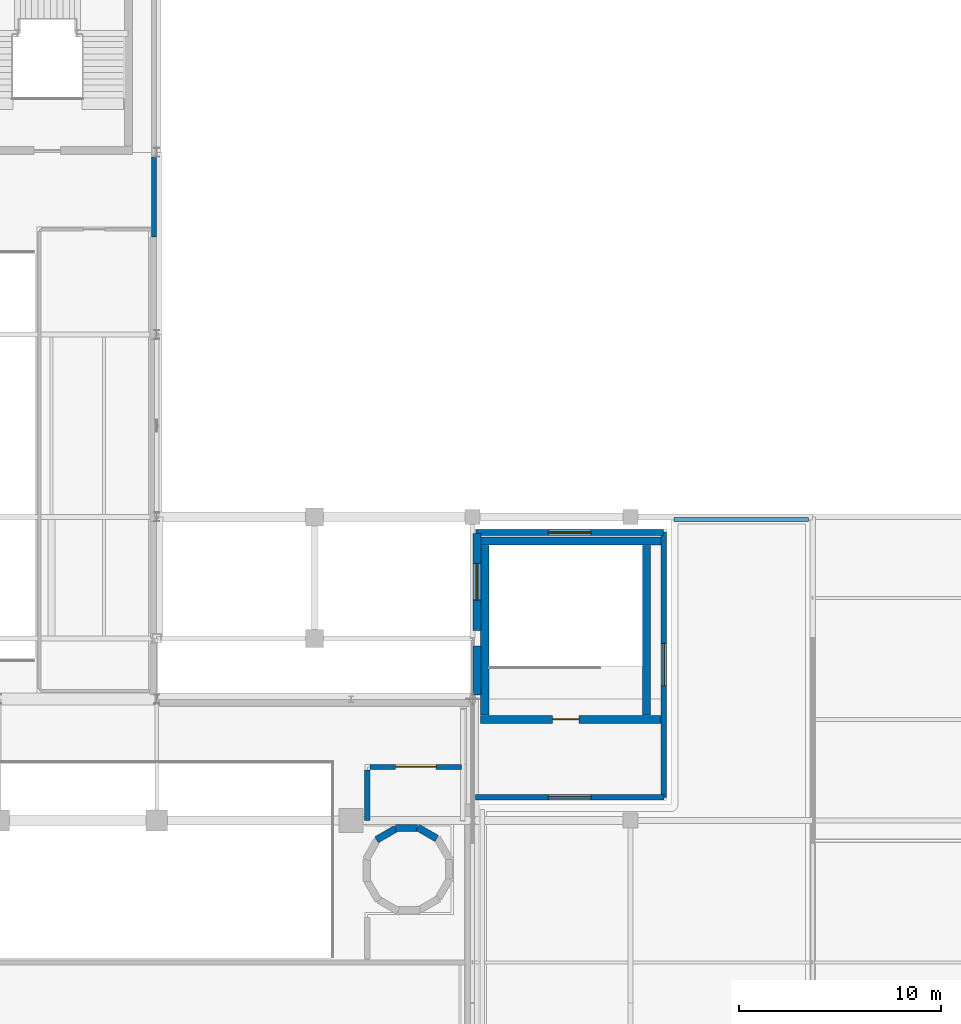
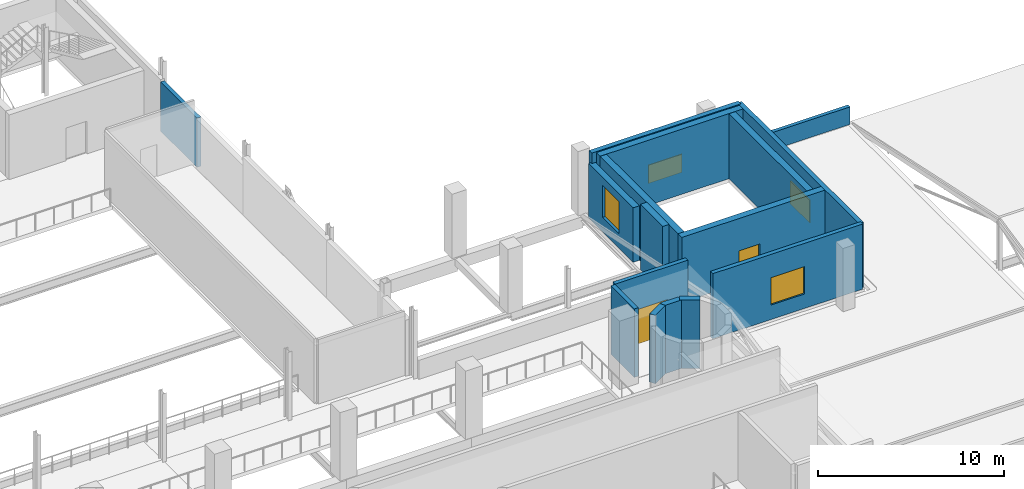
# One storey, part 77 of 85: 16 walls, 4 windows, 2 doors, 6 openings.
"""IFC4 building model written with IfcOpenShell, lengths in metres."""

from ifc_helpers import new_model, si_unit, derived_unit, direction, frame, frame_2d, origin, place, context, subcontext, project, spatial, rectangle, extrude, material, layer, layer_set, type_object, element, fill, save


model = new_model("IFC4")

# Units and contexts
model_context = context("Model", 3, precision=1e-05, world=origin(), true_north=direction((0.0, 1.0)))
body_context = subcontext(model_context, "Body", "Model", "MODEL_VIEW")
ifc_project = project(units=[si_unit("LENGTHUNIT", "METRE"), si_unit("AREAUNIT", "SQUARE_METRE"), si_unit("VOLUMEUNIT", "CUBIC_METRE"), si_unit("PLANEANGLEUNIT", "RADIAN"), si_unit("MASSUNIT", "GRAM", prefix="KILO"), derived_unit("THERMALTRANSMITTANCEUNIT", [(si_unit("POWERUNIT", "WATT"), 1), (si_unit("LENGTHUNIT", "METRE"), -2), (si_unit("THERMODYNAMICTEMPERATUREUNIT", "KELVIN"), -1)])], contexts=[model_context])

# Site, building, storey
site_placement = place(None, origin())
site = spatial("IfcSite", under=ifc_project, at=site_placement, CompositionType="ELEMENT")
building_placement = place(site_placement, origin())
building = spatial("IfcBuilding", under=site, at=building_placement, Name="Nallur Shell Playhouse", CompositionType="ELEMENT")
storey_placement = place(building_placement, frame((0.0, 0.0, 19.800048828125)))
storey = spatial("IfcBuildingStorey", under=building, at=storey_placement, Name="L05", CompositionType="ELEMENT", Elevation=19.800048828125)

# Wall, opening, door
ifc_material_1 = material(Name="Concrete M45", Category="concrete")
ifc_layer_1 = layer(ifc_material_1, 0.39990234375)
ifc_layer_set_1 = layer_set([ifc_layer_1], Name="Concrete M45")
wall_type_1 = type_object("IfcWallType", Name="WL-CORE-400", PredefinedType="SHEAR", material=ifc_layer_set_1)
wall_1_placement = place(storey_placement, frame((119.0, 46.0, 0.0), z_axis=(0.0, 0.0, 1.0), x_axis=(1.0, 0.0, 0.0)))
wall_1 = element("IfcWall", 1, at=wall_1_placement, inside=storey, type_object=wall_type_1, Name="Joint Core JC-2 shear wall S (L05)", PredefinedType="SHEAR", context=body_context, shape_type="SweptSolid", body=[
    extrude(rectangle(XDim=8.89599609375, YDim=0.39990234375, at=frame_2d((4.447998046875, 0.0))), origin(), (0.0, 0.0, 1.0), 4.280029296875),
])
opening_1_placement = place(wall_1_placement, frame((3.550048828125, 0.0, 0.0)))
opening_1 = element("IfcOpeningElement", 2, at=opening_1_placement, cuts=wall_1, Name="Opening FD-ST2", PredefinedType="OPENING", context=body_context, shape_type="SweptSolid", body=[
    extrude(rectangle(XDim=1.300048828125, YDim=2.14990234375, at=frame_2d((0.64990234375, 1.074951171875))), frame((0.0, 0.2099609375, 0.0), z_axis=(0.0, -1.0, 0.0), x_axis=(1.0, 0.0, 0.0)), (0.0, 0.0, 1.0), 0.419921875),
])
ifc_material_2 = material(Name="Galvanised Steel Fire-Rated Stair Door", Category="steel")
door_type_1 = type_object("IfcDoorType", Name="DR-INT-STAIR-R", OperationType="SINGLE_SWING_RIGHT", PredefinedType="DOOR", material=ifc_material_2)
door_1_placement = place(opening_1_placement, origin())
door_1 = element("IfcDoor", 3, at=door_1_placement, inside=storey, type_object=door_type_1, Name="Exit stair ST-02 fire door (L05)", OperationType="SINGLE_SWING_RIGHT", OverallHeight=2.14990234375, OverallWidth=1.300048828125, PredefinedType="DOOR", context=body_context, shape_type="SweptSolid", body=[
    extrude(rectangle(XDim=1.300048828125, YDim=2.14990234375, at=frame_2d((0.64990234375, 1.074951171875))), frame((0.0, 0.02490234375, 0.0), z_axis=(0.0, -1.0, 0.0), x_axis=(1.0, 0.0, 0.0)), (0.0, 0.0, 1.0), 0.050048828125),
])
fill(opening_1, door_1)

# Walls
wall_2_placement = place(storey_placement, frame((127.89599609375, 54.800048828125, 0.0), z_axis=(0.0, 0.0, 1.0), x_axis=(-1.0, 0.0, 0.0)))
element("IfcWall", 4, at=wall_2_placement, inside=storey, type_object=wall_type_1, Name="Joint Core JC-2 shear wall N (L05)", PredefinedType="SHEAR", context=body_context, shape_type="SweptSolid", body=[
    extrude(rectangle(XDim=8.89599609375, YDim=0.39990234375, at=frame_2d((4.447998046875, 0.0))), origin(), (0.0, 0.0, 1.0), 4.280029296875),
])
for number, where, z_axis, x_axis, name in (
    (5, (127.199951171875, 46.2099609375, 0.0), (0.0, 0.0, 1.0), (0.0, 1.0, 0.0), "Joint Core JC-2 shear wall E (L05)"),
    (6, (119.199951171875, 54.590087890625, 0.0), (0.0, 0.0, 1.0), (0.0, -1.0, 0.0), "Joint Core JC-2 shear wall W (L05)"),
):
    element("IfcWall", number, at=place(storey_placement, frame(where, z_axis=z_axis, x_axis=x_axis)), inside=storey, type_object=wall_type_1, Name=name, PredefinedType="SHEAR", context=body_context, shape_type="SweptSolid", body=[
        extrude(rectangle(XDim=8.380126953125, YDim=0.39990234375, at=frame_2d((4.18994140625, 0.0))), origin(), (0.0, 0.0, 1.0), 4.280029296875),
    ])
for number, where, z_axis, x_axis, name in (
    (7, (116.8330078125, 40.114990234375, 0.0), (0.0, 0.0, 1.0), (-0.866062834654, 0.499935162227, 0.0), "Metabolist service drum DR-2 facet 2 (L05)"),
    (8, (115.883544921875, 40.62841796875, 0.0), (0.0, 0.0, 1.0), (-1.0, 0.0, 0.0), "Metabolist service drum DR-2 facet 3 (L05)"),
    (9, (114.804443359375, 40.598388671875, 0.0), (0.0, 0.0, 1.0), (-0.866062834654, -0.499935162227, 0.0), "Metabolist service drum DR-2 facet 4 (L05)"),
):
    element("IfcWall", number, at=place(storey_placement, frame(where, z_axis=z_axis, x_axis=x_axis)), inside=storey, type_object=wall_type_1, Name=name, PredefinedType="SHEAR", context=body_context, shape_type="SweptSolid", body=[
        extrude(rectangle(XDim=1.093017578125, YDim=0.35009765625, at=frame_2d((0.54638671875, 0.0))), origin(), (0.0, 0.0, 1.0), 4.5),
    ])
ifc_material_3 = material(Name="Precast concrete M40", Category="concrete")
ifc_layer_2 = layer(ifc_material_3, 0.239990234375)
ifc_layer_set_2 = layer_set([ifc_layer_2], Name="Precast concrete M40")
wall_type_2 = type_object("IfcWallType", Name="WL-EXT-CLAD240", PredefinedType="ELEMENTEDWALL", material=ifc_layer_set_2)
wall_3_placement = place(storey_placement, frame((102.860107421875, 73.76708984375, 0.0), z_axis=(0.0, 0.0, 1.0), x_axis=(0.0, -1.0, 0.0)))
element("IfcWall", 10, at=wall_3_placement, inside=storey, type_object=wall_type_2, Name="L05 exterior wall EW-L05-212", PredefinedType="ELEMENTEDWALL", context=body_context, shape_type="SweptSolid", body=[
    extrude(rectangle(XDim=3.93310546875, YDim=0.239990234375, at=frame_2d((1.966552734375, 0.0))), origin(), (0.0, 0.0, 1.0), 3.23486328125),
])

# Wall, opening, window
ifc_layer_3 = layer(ifc_material_3, 0.260009765625)
ifc_layer_set_3 = layer_set([ifc_layer_3], Name="Precast concrete M40")
wall_type_3 = type_object("IfcWallType", Name="WL-EXT-CLAD260", PredefinedType="ELEMENTEDWALL", material=ifc_layer_set_3)
wall_4_placement = place(storey_placement, frame((128.06005859375, 42.14990234375, 0.0), z_axis=(0.0, 0.0, 1.0), x_axis=(-1.0, 0.0, 0.0)))
wall_4 = element("IfcWall", 11, at=wall_4_placement, inside=storey, type_object=wall_type_3, Name="L05 exterior wall EW-L05-222", PredefinedType="ELEMENTEDWALL", context=body_context, shape_type="SweptSolid", body=[
    extrude(rectangle(XDim=9.320068359375, YDim=0.260009765625, at=frame_2d((4.66015625, 0.0))), origin(), (0.0, 0.0, 1.0), 4.280029296875),
])
opening_2_placement = place(wall_4_placement, frame((3.610107421875, 0.0, 0.949951171875)))
opening_2 = element("IfcOpeningElement", 12, at=opening_2_placement, cuts=wall_4, Name="Opening WN-27", PredefinedType="OPENING", context=body_context, shape_type="SweptSolid", body=[
    extrude(rectangle(XDim=2.10009765625, YDim=1.800048828125, at=frame_2d((1.050048828125, 0.89990234375))), frame((0.0, 0.14013671875, 0.0), z_axis=(0.0, -1.0, 0.0), x_axis=(1.0, 0.0, 0.0)), (0.0, 0.0, 1.0), 0.280029296875),
])
ifc_material_4 = material(Name="Thermally Broken Aluminium Acoustic Double-Glazed Window", Category="aluminium")
window_type_1 = type_object("IfcWindowType", Name="WN-TYPE-27", PartitioningType="SINGLE_PANEL", PredefinedType="LIGHTDOME", material=ifc_material_4)
window_1_placement = place(opening_2_placement, origin())
window_1 = element("IfcWindow", 13, at=window_1_placement, inside=storey, type_object=window_type_1, Name="L05 facade module window 091", OverallHeight=1.800048828125, OverallWidth=2.10009765625, PartitioningType="SINGLE_PANEL", PredefinedType="LIGHTDOME", context=body_context, shape_type="SweptSolid", body=[
    extrude(rectangle(XDim=2.10009765625, YDim=1.800048828125, at=frame_2d((1.050048828125, 0.89990234375))), frame((0.0, 0.030029296875, 0.0), z_axis=(0.0, -1.0, 0.0), x_axis=(1.0, 0.0, 0.0)), (0.0, 0.0, 1.0), 0.06005859375),
])
fill(opening_2, window_1)

ifc_material_5 = material(Name="Concrete M30", Category="concrete")
ifc_layer_4 = layer(ifc_material_5, 0.280029296875)
ifc_layer_set_4 = layer_set([ifc_layer_4], Name="Concrete M30")
wall_type_4 = type_object("IfcWallType", Name="WL-EXT-INS280", PredefinedType="STANDARD", material=ifc_layer_set_4)
wall_5_placement = place(storey_placement, frame((128.0400390625, 55.25, 0.0), z_axis=(0.0, 0.0, 1.0), x_axis=(0.0, -1.0, 0.0)))
wall_5 = element("IfcWall", 14, at=wall_5_placement, inside=storey, type_object=wall_type_4, Name="L05 exterior wall EW-L05-221", PredefinedType="STANDARD", context=body_context, shape_type="SweptSolid", body=[
    extrude(rectangle(XDim=13.10009765625, YDim=0.280029296875, at=frame_2d((6.550048828125, 0.0))), origin(), (0.0, 0.0, 1.0), 4.280029296875),
])
opening_3_placement = place(wall_5_placement, frame((5.5, 0.0, 0.949951171875)))
opening_3 = element("IfcOpeningElement", 15, at=opening_3_placement, cuts=wall_5, Name="Opening WN-26", PredefinedType="OPENING", context=body_context, shape_type="SweptSolid", body=[
    extrude(rectangle(XDim=2.10009765625, YDim=1.5, at=frame_2d((1.050048828125, 0.75))), frame((0.0, 0.14990234375, 0.0), z_axis=(0.0, -1.0, 0.0), x_axis=(1.0, 0.0, 0.0)), (0.0, 0.0, 1.0), 0.300048828125),
])
window_type_2 = type_object("IfcWindowType", Name="WN-TYPE-26", PartitioningType="SINGLE_PANEL", PredefinedType="LIGHTDOME", material=ifc_material_4)
window_2_placement = place(opening_3_placement, origin())
window_2 = element("IfcWindow", 16, at=window_2_placement, inside=storey, type_object=window_type_2, Name="L05 facade module window 090", OverallHeight=1.5, OverallWidth=2.10009765625, PartitioningType="SINGLE_PANEL", PredefinedType="LIGHTDOME", context=body_context, shape_type="SweptSolid", body=[
    extrude(rectangle(XDim=2.10009765625, YDim=1.5, at=frame_2d((1.050048828125, 0.75))), frame((0.0, 0.030029296875, 0.0), z_axis=(0.0, -1.0, 0.0), x_axis=(1.0, 0.0, 0.0)), (0.0, 0.0, 1.0), 0.06005859375),
])
fill(opening_3, window_2)

ifc_material_6 = material(Name="Concrete M35", Category="concrete")
ifc_layer_5 = layer(ifc_material_6, 0.300048828125)
ifc_layer_set_5 = layer_set([ifc_layer_5], Name="Concrete M35")
wall_type_5 = type_object("IfcWallType", Name="WL-EXT-RC300", PredefinedType="STANDARD", material=ifc_layer_set_5)
wall_6_placement = place(storey_placement, frame((118.760009765625, 55.22998046875, 0.0), z_axis=(0.0, 0.0, 1.0), x_axis=(1.0, 0.0, 0.0)))
wall_6 = element("IfcWall", 17, at=wall_6_placement, inside=storey, type_object=wall_type_5, Name="L05 exterior wall EW-L05-220", PredefinedType="STANDARD", context=body_context, shape_type="SweptSolid", body=[
    extrude(rectangle(XDim=9.280029296875, YDim=0.300048828125, at=frame_2d((4.64013671875, 0.0))), origin(), (0.0, 0.0, 1.0), 4.280029296875),
])
opening_4_placement = place(wall_6_placement, frame((3.590087890625, 0.0, 0.949951171875)))
opening_4 = element("IfcOpeningElement", 18, at=opening_4_placement, cuts=wall_6, Name="Opening WN-25", PredefinedType="OPENING", context=body_context, shape_type="SweptSolid", body=[
    extrude(rectangle(XDim=2.10009765625, YDim=1.199951171875, at=frame_2d((1.050048828125, 0.60009765625))), frame((0.0, 0.16015625, 0.0), z_axis=(0.0, -1.0, 0.0), x_axis=(1.0, 0.0, 0.0)), (0.0, 0.0, 1.0), 0.320068359375),
])
window_type_3 = type_object("IfcWindowType", Name="WN-TYPE-25", PartitioningType="SINGLE_PANEL", PredefinedType="LIGHTDOME", material=ifc_material_4)
window_3_placement = place(opening_4_placement, origin())
window_3 = element("IfcWindow", 19, at=window_3_placement, inside=storey, type_object=window_type_3, Name="L05 facade module window 089", OverallHeight=1.199951171875, OverallWidth=2.10009765625, PartitioningType="SINGLE_PANEL", PredefinedType="LIGHTDOME", context=body_context, shape_type="SweptSolid", body=[
    extrude(rectangle(XDim=2.10009765625, YDim=1.199951171875, at=frame_2d((1.050048828125, 0.60009765625))), frame((0.0, 0.030029296875, 0.0), z_axis=(0.0, -1.0, 0.0), x_axis=(1.0, 0.0, 0.0)), (0.0, 0.0, 1.0), 0.06005859375),
])
fill(opening_4, window_3)

# Wall
ifc_material_7 = material(Name="Concrete M40", Category="concrete")
ifc_layer_6 = layer(ifc_material_7, 0.39990234375)
ifc_layer_set_6 = layer_set([ifc_layer_6], Name="Concrete M40")
wall_type_6 = type_object("IfcWallType", Name="WL-EXT-RC400", PredefinedType="STANDARD", material=ifc_layer_set_6)
wall_7_placement = place(storey_placement, frame((118.820068359375, 47.2099609375, 0.0), z_axis=(0.0, 0.0, 1.0), x_axis=(0.0, 1.0, 0.0)))
element("IfcWall", 20, at=wall_7_placement, inside=storey, type_object=wall_type_6, Name="L05 exterior wall EW-L05-218", PredefinedType="STANDARD", context=body_context, shape_type="SweptSolid", body=[
    extrude(rectangle(XDim=2.406982421875, YDim=0.39990234375, at=frame_2d((1.20361328125, 0.0))), origin(), (0.0, 0.0, 1.0), 4.280029296875),
])

# Wall, opening, window
wall_8_placement = place(storey_placement, frame((118.820068359375, 50.383056640625, 0.0), z_axis=(0.0, 0.0, 1.0), x_axis=(0.0, 1.0, 0.0)))
wall_8 = element("IfcWall", 21, at=wall_8_placement, inside=storey, type_object=wall_type_6, Name="L05 exterior wall EW-L05-219", PredefinedType="STANDARD", context=body_context, shape_type="SweptSolid", body=[
    extrude(rectangle(XDim=4.806884765625, YDim=0.39990234375, at=frame_2d((2.4033203125, 0.0))), origin(), (0.0, 0.0, 1.0), 3.5849609375),
])
opening_5_placement = place(wall_8_placement, frame((1.5029296875, 0.0, 0.949951171875)))
opening_5 = element("IfcOpeningElement", 22, at=opening_5_placement, cuts=wall_8, Name="Opening WN-24", PredefinedType="OPENING", context=body_context, shape_type="SweptSolid", body=[
    extrude(rectangle(XDim=1.800048828125, YDim=2.10009765625, at=frame_2d((0.89990234375, 1.050048828125))), frame((0.0, 0.2099609375, 0.0), z_axis=(0.0, -1.0, 0.0), x_axis=(1.0, 0.0, 0.0)), (0.0, 0.0, 1.0), 0.419921875),
])
window_type_4 = type_object("IfcWindowType", Name="WN-TYPE-24", PartitioningType="SINGLE_PANEL", PredefinedType="WINDOW", material=ifc_material_4)
window_4_placement = place(opening_5_placement, origin())
window_4 = element("IfcWindow", 23, at=window_4_placement, inside=storey, type_object=window_type_4, Name="L05 facade module window 088", OverallHeight=2.10009765625, OverallWidth=1.800048828125, PartitioningType="SINGLE_PANEL", PredefinedType="WINDOW", context=body_context, shape_type="SweptSolid", body=[
    extrude(rectangle(XDim=1.800048828125, YDim=2.10009765625, at=frame_2d((0.89990234375, 1.050048828125))), frame((0.0, 0.030029296875, 0.0), z_axis=(0.0, -1.0, 0.0), x_axis=(1.0, 0.0, 0.0)), (0.0, 0.0, 1.0), 0.06005859375),
])
fill(opening_5, window_4)

# Walls
ifc_layer_7 = layer(ifc_material_6, 0.219970703125)
ifc_layer_set_7 = layer_set([ifc_layer_7], Name="Concrete M35")
wall_type_7 = type_object("IfcWallType", Name="WL-PARAPET-220", PredefinedType="PARAPET", material=ifc_layer_set_7)
wall_9_placement = place(storey_placement, frame((128.550048828125, 55.8701171875, 0.0), z_axis=(0.0, 0.0, 1.0), x_axis=(1.0, 0.0, 0.0)))
element("IfcWall", 24, at=wall_9_placement, inside=storey, type_object=wall_type_7, Name="L05 concrete roof parapet PAR-026", PredefinedType="PARAPET", context=body_context, shape_type="SweptSolid", body=[
    extrude(rectangle(XDim=6.64990234375, YDim=0.219970703125, at=frame_2d((3.324951171875, 0.0))), origin(), (0.0, 0.0, 1.0), 1.14990234375),
])
ifc_layer_8 = layer(ifc_material_5, 0.25)
ifc_layer_set_8 = layer_set([ifc_layer_8], Name="Concrete M30")
wall_type_8 = type_object("IfcWallType", Name="WL-PART-AC250", PredefinedType="PARTITIONING", material=ifc_layer_set_8)
wall_10_placement = place(storey_placement, frame((113.39990234375, 40.9951171875, 0.0), z_axis=(0.0, 0.0, 1.0), x_axis=(0.0, 1.0, 0.0)))
element("IfcWall", 25, at=wall_10_placement, inside=storey, type_object=wall_type_8, Name="Main Theatre East Followspot & Acoustic Reflector Gallery partition IW-L05-0351", PredefinedType="PARTITIONING", context=body_context, shape_type="SweptSolid", body=[
    extrude(rectangle(XDim=2.509765625, YDim=0.25, at=frame_2d((1.2548828125, 0.0))), origin(), (0.0, 0.0, 1.0), 4.5),
])

# Wall, opening, door
wall_11_placement = place(storey_placement, frame((113.544921875, 43.64990234375, 0.0), z_axis=(0.0, 0.0, 1.0), x_axis=(1.0, 0.0, 0.0)))
wall_11 = element("IfcWall", 26, at=wall_11_placement, inside=storey, type_object=wall_type_8, Name="Main Theatre East Followspot & Acoustic Reflector Gallery partition IW-L05-0352", PredefinedType="PARTITIONING", context=body_context, shape_type="SweptSolid", body=[
    extrude(rectangle(XDim=4.510009765625, YDim=0.25, at=frame_2d((2.2548828125, 0.0))), origin(), (0.0, 0.0, 1.0), 4.5),
])
opening_6_placement = place(wall_11_placement, frame((1.2548828125, 0.0, 0.0)))
opening_6 = element("IfcOpeningElement", 27, at=opening_6_placement, cuts=wall_11, Name="Opening AD-01", PredefinedType="OPENING", context=body_context, shape_type="SweptSolid", body=[
    extrude(rectangle(XDim=2.0, YDim=2.35009765625, at=frame_2d((1.0, 1.175048828125))), frame((0.0, 0.135009765625, 0.0), z_axis=(0.0, -1.0, 0.0), x_axis=(1.0, 0.0, 0.0)), (0.0, 0.0, 1.0), 0.27001953125),
])
ifc_material_8 = material(Name="Acoustic Timber Sound-Lock Double Door", Category="wood")
door_type_2 = type_object("IfcDoorType", Name="DR-INT-AUD-DBL", OperationType="DOUBLE_SWING_LEFT", PredefinedType="DOOR", material=ifc_material_8)
door_2_placement = place(opening_6_placement, origin())
door_2 = element("IfcDoor", 28, at=door_2_placement, inside=storey, type_object=door_type_2, Name="Main Theatre East Followspot & Acoustic Reflector Gallery door 1", OperationType="DOUBLE_SWING_LEFT", OverallHeight=2.35009765625, OverallWidth=2.0, PredefinedType="DOOR", context=body_context, shape_type="SweptSolid", body=[
    extrude(rectangle(XDim=2.0, YDim=2.35009765625, at=frame_2d((1.0, 1.175048828125))), frame((0.0, 0.02490234375, 0.0), z_axis=(0.0, -1.0, 0.0), x_axis=(1.0, 0.0, 0.0)), (0.0, 0.0, 1.0), 0.050048828125),
])
fill(opening_6, door_2)

save(model, "model.ifc")
